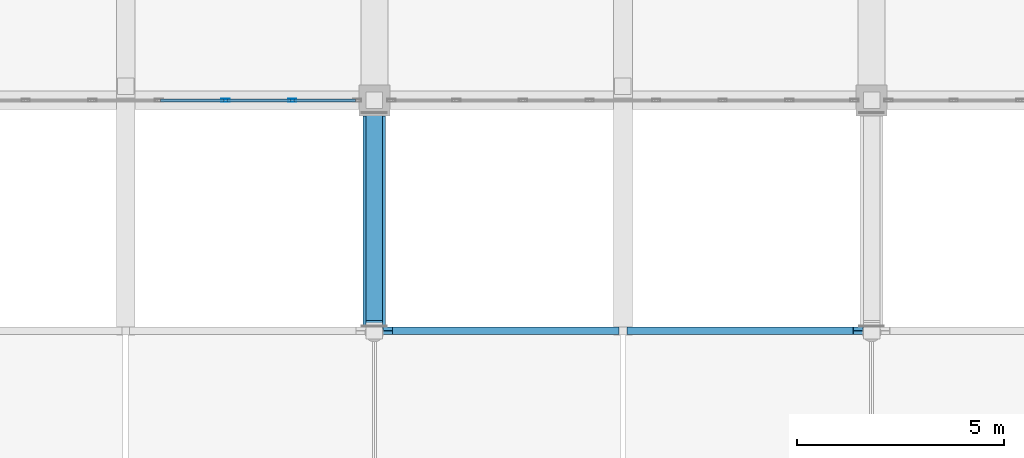
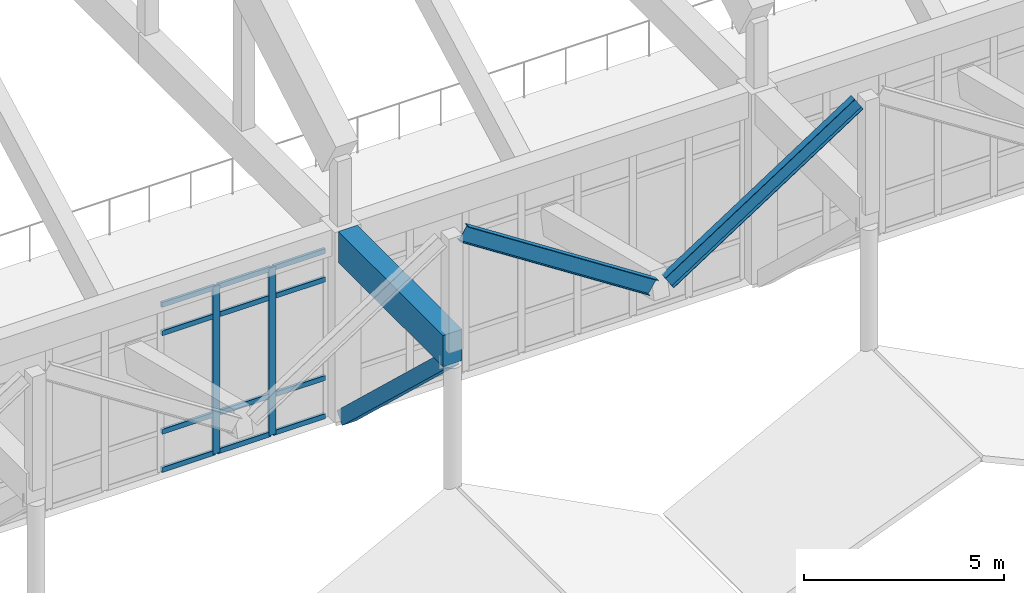
# One storey, part 51 of 236: 15 members, 3 beams, 1 element without a shape of its own.
"""IFC4 building model written with IfcOpenShell, lengths in metres."""

from ifc_helpers import new_model, si_unit, direction, frame, origin, origin_2d, place, context, subcontext, project, spatial, rectangle, hollow_rectangle, i_section, extrude, material, layer, layer_set, material_profile, profile_set, type_object, element, aggregate, save


model = new_model("IFC4")

# Units and contexts
model_context = context("Model", 3, precision=1e-05, world=origin(), true_north=direction((0.0, 1.0)))
body_context = subcontext(model_context, "Body", "Model", "MODEL_VIEW")
ifc_project = project(units=[si_unit("LENGTHUNIT", "METRE"), si_unit("AREAUNIT", "SQUARE_METRE"), si_unit("VOLUMEUNIT", "CUBIC_METRE"), si_unit("PLANEANGLEUNIT", "RADIAN"), si_unit("MASSUNIT", "GRAM", prefix="KILO")], contexts=[model_context])

# Site, building, storey
site_placement = place(None, origin())
site = spatial("IfcSite", under=ifc_project, at=site_placement, CompositionType="ELEMENT")
building_placement = place(site_placement, origin())
building = spatial("IfcBuilding", under=site, at=building_placement, Name="Pandanus Reach Market Hall", CompositionType="ELEMENT")
storey_placement = place(building_placement, frame((0.0, 0.0, 5.39990234375)))
storey = spatial("IfcBuildingStorey", under=building, at=storey_placement, Name="L01", CompositionType="ELEMENT", Elevation=5.39990234375)

# Beams
ifc_material_1 = material(Name="Concrete N50 (50 MPa)", Category="concrete")
ifc_material_profile_1 = material_profile(ifc_material_1, rectangle(XDim=0.550048828125, YDim=0.949951171875, at=origin_2d()), Name="RC550x950", Category="LoadBearing")
ifc_profile_set_1 = profile_set([ifc_material_profile_1], Name="Concrete N50 (50 MPa)")
beam_type_1 = type_object("IfcBeamType", Name="BM-RC550-E", PredefinedType="BEAM", material=ifc_profile_set_1)
beam_placement = place(storey_placement, frame((84.0, 23.199951171875, 5.3251953125), z_axis=(0.0, 1.0, 0.0), x_axis=(-1.0, 0.0, 0.0)))
element("IfcBeam", 1, at=beam_placement, inside=storey, type_object=beam_type_1, Name="Zigzag south eaves cantilever girder A4", PredefinedType="BEAM", context=body_context, shape_type="SweptSolid", body=[
    extrude(rectangle(XDim=0.550048828125, YDim=0.949951171875, at=origin_2d()), origin(), (0.0, 0.0, 1.0), 5.22998046875),
])
ifc_material_2 = material(Name="Steel Grade 350 (350 MPa)", Category="steel")
ifc_material_profile_2 = material_profile(ifc_material_2, i_section(OverallWidth=0.18994140625, OverallDepth=0.45703125, WebThickness=0.009033203125, FlangeThickness=0.014404296875, at=origin_2d()), Name="460UB74.6", Category="LoadBearing")
ifc_profile_set_2 = profile_set([ifc_material_profile_2], Name="Steel Grade 350 (350 MPa)")
beam_type_2 = type_object("IfcBeamType", Name="BM-UB460-E", PredefinedType="BEAM", material=ifc_profile_set_2)
for number, where, z_axis, x_axis, name in (
    (2, (84.320068359375, 23.239990234375, 8.7001953125), (0.839070527962, 0.0, -0.544022654956), (0.0, 1.0, 0.0), "Butterfly south fringe rib B4.0L"),
    (3, (90.219970703125, 23.239990234375, 5.16015625), (0.839070527962, 0.0, 0.544022654956), (0.0, 1.0, 0.0), "Butterfly south fringe rib B4.0R"),
):
    element("IfcBeam", number, at=place(storey_placement, frame(where, z_axis=z_axis, x_axis=x_axis)), inside=storey, type_object=beam_type_2, Name=name, PredefinedType="BEAM", context=body_context, shape_type="SweptSolid", body=[
        extrude(i_section(OverallWidth=0.18994140625, OverallDepth=0.45703125, WebThickness=0.009033203125, FlangeThickness=0.014404296875, at=origin_2d()), origin(), (0.0, 0.0, 1.0), 6.507080078125),
    ])

# Curtain wall, members
ifc_material_3 = material(Name="Bronze anodised aluminium and low-E glass", Category="aluminium")
ifc_layer = layer(ifc_material_3, 0.199951171875, Name="CW-02")
ifc_layer_set = layer_set([ifc_layer], Name="Bronze anodised aluminium and low-E glass")
curtain_wall_type = type_object("IfcCurtainWallType", Name="CW-02", PredefinedType="NOTDEFINED", material=ifc_layer_set)
curtain_wall_placement = place(storey_placement, origin())
curtain_wall = element("IfcCurtainWall", 4, at=curtain_wall_placement, inside=storey, type_object=curtain_wall_type, Name="Glazed curtain wall CW-02 CW-0004", PredefinedType="NOTDEFINED")
ifc_material_4 = material(Name="Bronze anodised aluminium", Category="aluminium")
ifc_material_profile_3 = material_profile(ifc_material_4, hollow_rectangle(XDim=0.074951171875, YDim=0.199951171875, WallThickness=0.00439453125, at=origin_2d()), Name="ALU75x200", Category="LoadBearing")
ifc_profile_set_3 = profile_set([ifc_material_profile_3], Name="Bronze anodised aluminium")
member_type_1 = type_object("IfcMemberType", Name="CW-M2", PredefinedType="MULLION", material=ifc_profile_set_3)
member_1_placement = place(storey_placement, frame((80.41064453125, 28.800048828125, 0.0), z_axis=(0.0, 0.0, 1.0), x_axis=(0.0, 1.0, 0.0)))
member_1 = element("IfcMember", 5, at=member_1_placement, type_object=member_type_1, Name="CW-02 mullion 6", PredefinedType="MULLION", context=body_context, shape_type="SweptSolid", body=[
    extrude(hollow_rectangle(XDim=0.074951171875, YDim=0.199951171875, WallThickness=0.00439453125, at=origin_2d()), origin(), (0.0, 0.0, 1.0), 5.10009765625),
])
member_2_placement = place(storey_placement, frame((82.017822265625, 28.800048828125, 0.0), z_axis=(0.0, 0.0, 1.0), x_axis=(0.0, 1.0, 0.0)))
member_2 = element("IfcMember", 6, at=member_2_placement, type_object=member_type_1, Name="CW-02 mullion 7", PredefinedType="MULLION", context=body_context, shape_type="SweptSolid", body=[
    extrude(hollow_rectangle(XDim=0.074951171875, YDim=0.199951171875, WallThickness=0.00439453125, at=origin_2d()), origin(), (0.0, 0.0, 1.0), 5.10009765625),
])
ifc_material_profile_4 = material_profile(ifc_material_4, hollow_rectangle(XDim=0.074951171875, YDim=0.14990234375, WallThickness=0.00439453125, at=origin_2d()), Name="ALU75x150", Category="LoadBearing")
ifc_profile_set_4 = profile_set([ifc_material_profile_4], Name="Bronze anodised aluminium")
member_type_2 = type_object("IfcMemberType", Name="CW-T2", PredefinedType="USERDEFINED", material=ifc_profile_set_4)
member_3_placement = place(storey_placement, frame((78.841064453125, 28.800048828125, 0.03759765625), z_axis=(1.0, 0.0, 0.0), x_axis=(0.0, 1.0, 0.0)))
member_3 = element("IfcMember", 7, at=member_3_placement, type_object=member_type_2, Name="CW-02 transom 5.1", ObjectType="TRANSOM", PredefinedType="USERDEFINED", context=body_context, shape_type="SweptSolid", body=[
    extrude(hollow_rectangle(XDim=0.074951171875, YDim=0.14990234375, WallThickness=0.00439453125, at=origin_2d()), origin(), (0.0, 0.0, 1.0), 1.5322265625),
])
member_4_placement = place(storey_placement, frame((78.841064453125, 28.800048828125, 1.2001953125), z_axis=(1.0, 0.0, 0.0), x_axis=(0.0, 1.0, 0.0)))
member_4 = element("IfcMember", 8, at=member_4_placement, type_object=member_type_2, Name="CW-02 transom 5.2", ObjectType="TRANSOM", PredefinedType="USERDEFINED", context=body_context, shape_type="SweptSolid", body=[
    extrude(hollow_rectangle(XDim=0.074951171875, YDim=0.14990234375, WallThickness=0.00439453125, at=origin_2d()), origin(), (0.0, 0.0, 1.0), 1.5322265625),
])
member_5_placement = place(storey_placement, frame((78.841064453125, 28.800048828125, 4.2001953125), z_axis=(1.0, 0.0, 0.0), x_axis=(0.0, 1.0, 0.0)))
member_5 = element("IfcMember", 9, at=member_5_placement, type_object=member_type_2, Name="CW-02 transom 5.3", ObjectType="TRANSOM", PredefinedType="USERDEFINED", context=body_context, shape_type="SweptSolid", body=[
    extrude(hollow_rectangle(XDim=0.074951171875, YDim=0.14990234375, WallThickness=0.00439453125, at=origin_2d()), origin(), (0.0, 0.0, 1.0), 1.5322265625),
])
member_6_placement = place(storey_placement, frame((78.841064453125, 28.800048828125, 5.0625), z_axis=(1.0, 0.0, 0.0), x_axis=(0.0, 1.0, 0.0)))
member_6 = element("IfcMember", 10, at=member_6_placement, type_object=member_type_2, Name="CW-02 transom 5.4", ObjectType="TRANSOM", PredefinedType="USERDEFINED", context=body_context, shape_type="SweptSolid", body=[
    extrude(hollow_rectangle(XDim=0.074951171875, YDim=0.14990234375, WallThickness=0.00439453125, at=origin_2d()), origin(), (0.0, 0.0, 1.0), 1.5322265625),
])
member_7_placement = place(storey_placement, frame((80.4482421875, 28.800048828125, 0.03759765625), z_axis=(1.0, 0.0, 0.0), x_axis=(0.0, 1.0, 0.0)))
member_7 = element("IfcMember", 11, at=member_7_placement, type_object=member_type_2, Name="CW-02 transom 6.1", ObjectType="TRANSOM", PredefinedType="USERDEFINED", context=body_context, shape_type="SweptSolid", body=[
    extrude(hollow_rectangle(XDim=0.074951171875, YDim=0.14990234375, WallThickness=0.00439453125, at=origin_2d()), origin(), (0.0, 0.0, 1.0), 1.5322265625),
])
member_8_placement = place(storey_placement, frame((80.4482421875, 28.800048828125, 1.2001953125), z_axis=(1.0, 0.0, 0.0), x_axis=(0.0, 1.0, 0.0)))
member_8 = element("IfcMember", 12, at=member_8_placement, type_object=member_type_2, Name="CW-02 transom 6.2", ObjectType="TRANSOM", PredefinedType="USERDEFINED", context=body_context, shape_type="SweptSolid", body=[
    extrude(hollow_rectangle(XDim=0.074951171875, YDim=0.14990234375, WallThickness=0.00439453125, at=origin_2d()), origin(), (0.0, 0.0, 1.0), 1.5322265625),
])
member_9_placement = place(storey_placement, frame((80.4482421875, 28.800048828125, 4.2001953125), z_axis=(1.0, 0.0, 0.0), x_axis=(0.0, 1.0, 0.0)))
member_9 = element("IfcMember", 13, at=member_9_placement, type_object=member_type_2, Name="CW-02 transom 6.3", ObjectType="TRANSOM", PredefinedType="USERDEFINED", context=body_context, shape_type="SweptSolid", body=[
    extrude(hollow_rectangle(XDim=0.074951171875, YDim=0.14990234375, WallThickness=0.00439453125, at=origin_2d()), origin(), (0.0, 0.0, 1.0), 1.5322265625),
])
member_10_placement = place(storey_placement, frame((80.4482421875, 28.800048828125, 5.0625), z_axis=(1.0, 0.0, 0.0), x_axis=(0.0, 1.0, 0.0)))
member_10 = element("IfcMember", 14, at=member_10_placement, type_object=member_type_2, Name="CW-02 transom 6.4", ObjectType="TRANSOM", PredefinedType="USERDEFINED", context=body_context, shape_type="SweptSolid", body=[
    extrude(hollow_rectangle(XDim=0.074951171875, YDim=0.14990234375, WallThickness=0.00439453125, at=origin_2d()), origin(), (0.0, 0.0, 1.0), 1.5322265625),
])
member_11_placement = place(storey_placement, frame((82.055419921875, 28.800048828125, 0.03759765625), z_axis=(1.0, 0.0, 0.0), x_axis=(0.0, 1.0, 0.0)))
member_11 = element("IfcMember", 15, at=member_11_placement, type_object=member_type_2, Name="CW-02 transom 7.1", ObjectType="TRANSOM", PredefinedType="USERDEFINED", context=body_context, shape_type="SweptSolid", body=[
    extrude(hollow_rectangle(XDim=0.074951171875, YDim=0.14990234375, WallThickness=0.00439453125, at=origin_2d()), origin(), (0.0, 0.0, 1.0), 1.49462890625),
])
member_12_placement = place(storey_placement, frame((82.055419921875, 28.800048828125, 1.2001953125), z_axis=(1.0, 0.0, 0.0), x_axis=(0.0, 1.0, 0.0)))
member_12 = element("IfcMember", 16, at=member_12_placement, type_object=member_type_2, Name="CW-02 transom 7.2", ObjectType="TRANSOM", PredefinedType="USERDEFINED", context=body_context, shape_type="SweptSolid", body=[
    extrude(hollow_rectangle(XDim=0.074951171875, YDim=0.14990234375, WallThickness=0.00439453125, at=origin_2d()), origin(), (0.0, 0.0, 1.0), 1.49462890625),
])
member_13_placement = place(storey_placement, frame((82.055419921875, 28.800048828125, 4.2001953125), z_axis=(1.0, 0.0, 0.0), x_axis=(0.0, 1.0, 0.0)))
member_13 = element("IfcMember", 17, at=member_13_placement, type_object=member_type_2, Name="CW-02 transom 7.3", ObjectType="TRANSOM", PredefinedType="USERDEFINED", context=body_context, shape_type="SweptSolid", body=[
    extrude(hollow_rectangle(XDim=0.074951171875, YDim=0.14990234375, WallThickness=0.00439453125, at=origin_2d()), origin(), (0.0, 0.0, 1.0), 1.49462890625),
])
member_14_placement = place(storey_placement, frame((82.055419921875, 28.800048828125, 5.0625), z_axis=(1.0, 0.0, 0.0), x_axis=(0.0, 1.0, 0.0)))
member_14 = element("IfcMember", 18, at=member_14_placement, type_object=member_type_2, Name="CW-02 transom 7.4", ObjectType="TRANSOM", PredefinedType="USERDEFINED", context=body_context, shape_type="SweptSolid", body=[
    extrude(hollow_rectangle(XDim=0.074951171875, YDim=0.14990234375, WallThickness=0.00439453125, at=origin_2d()), origin(), (0.0, 0.0, 1.0), 1.49462890625),
])
aggregate(curtain_wall, [member_1, member_2, member_3, member_4, member_5, member_6, member_7, member_8, member_9, member_10, member_11, member_12, member_13, member_14])

# Member
ifc_material_profile_5 = material_profile(ifc_material_1, rectangle(XDim=0.39990234375, YDim=0.39990234375, at=origin_2d()), Name="RC400x400", Category="LoadBearing")
ifc_profile_set_5 = profile_set([ifc_material_profile_5], Name="Concrete N50 (50 MPa)")
member_type_3 = type_object("IfcMemberType", Name="VS-RC400-E", PredefinedType="STRUT", material=ifc_profile_set_5)
member_15_placement = place(storey_placement, frame((84.0, 28.5, 0.050048828125), z_axis=(0.0, -0.72797908325, 0.68559933952), x_axis=(1.0, 0.0, 0.0)))
element("IfcMember", 19, at=member_15_placement, inside=storey, type_object=member_type_3, Name="Splayed concrete south arcade V-strut A4.1", PredefinedType="STRUT", context=body_context, shape_type="SweptSolid", body=[
    extrude(rectangle(XDim=0.39990234375, YDim=0.39990234375, at=origin_2d()), origin(), (0.0, 0.0, 1.0), 7.07421875),
])

save(model, "model.ifc")
